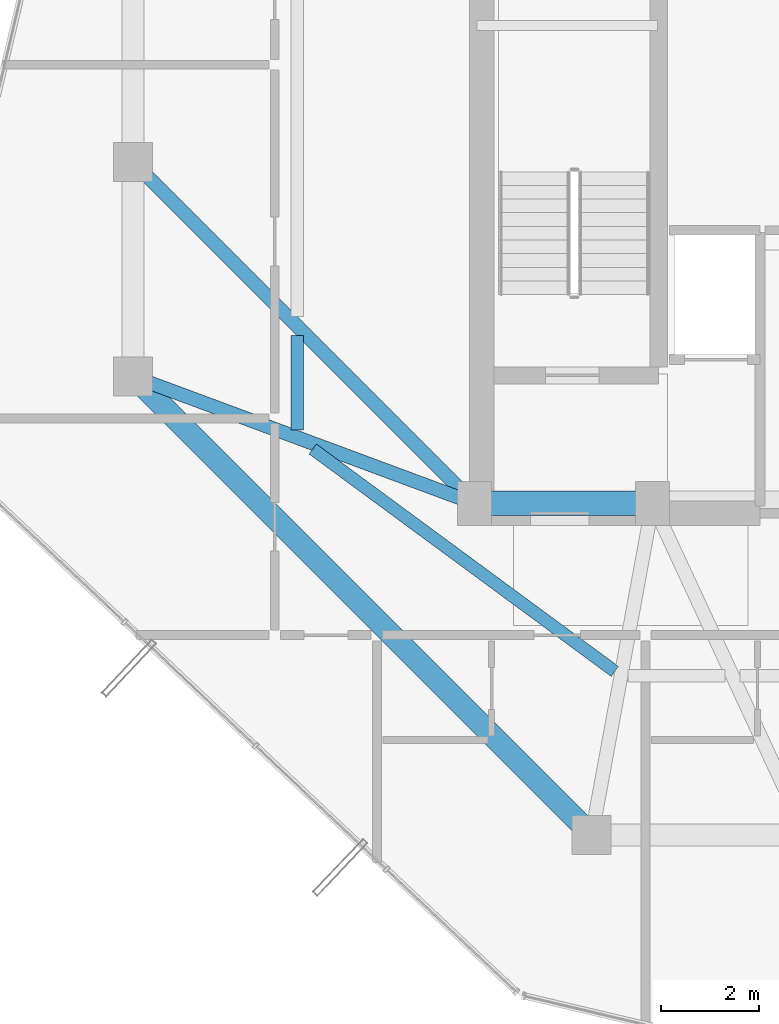
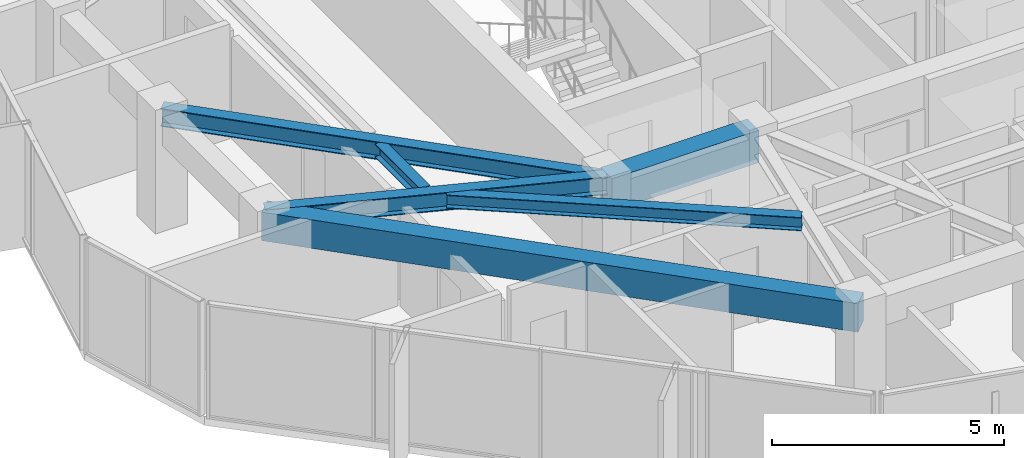
# One storey, part 6 of 28: 6 beams.
"""IFC4 building model written with IfcOpenShell, lengths in metres."""

import ifcopenshell
import ifcopenshell.guid

model = None  # the IFC model being written
_history = None  # IfcOwnerHistory: only IFC2X3 demands one
_inside = {}  # id of a spatial element -> (the spatial element, [elements in it])
_under = {}  # id of a project, library or spatial element -> (it, [spatial elements below it])
_declared = {}  # id of a project -> (the project, [libraries it declares])
_typed = {}  # id of a type object -> (the type object, [elements of that type])
_made_of = {}  # id of a material, layer set ... -> (it, [elements and type objects made of it])


def new_model(schema):
    """Start an empty IFC model of exactly this schema.

    Asked for "IFC4X3", IfcOpenShell would pick the latest addendum, in which some entities
    have other attributes; the version numbers below select the first issue.
    IFC2X3 requires an IfcOwnerHistory on every rooted entity: one is made here for all.
    """
    global model, _history
    if schema == "IFC4X3":
        model = ifcopenshell.file(schema_version=(4, 3, 0, 0))
    else:
        model = ifcopenshell.file(schema=schema)
    _inside.clear()
    _under.clear()
    _declared.clear()
    _typed.clear()
    _made_of.clear()
    _history = None
    if model.schema == "IFC2X3":
        org = make("IfcOrganization", Name="unknown")
        user = make(
            "IfcPersonAndOrganization",
            ThePerson=make("IfcPerson", FamilyName="unknown"),
            TheOrganization=org,
        )
        app = make(
            "IfcApplication",
            ApplicationDeveloper=org,
            Version="unknown",
            ApplicationFullName="unknown",
            ApplicationIdentifier="unknown",
        )
        _history = make(
            "IfcOwnerHistory",
            OwningUser=user,
            OwningApplication=app,
            ChangeAction="ADDED",
            CreationDate=0,
        )
    return model


def make(cls, **values):
    """One entity of the class cls with the attributes given. An attribute that is None is left unset."""
    return model.create_entity(
        cls, **{name: value for name, value in values.items() if value is not None}
    )


def rooted(cls, **values):
    """An entity with a GlobalId (a new one), such as an element, a storey or a relation."""
    return make(cls, GlobalId=ifcopenshell.guid.new(), OwnerHistory=_history, **values)


def si_unit(unit_type, name, prefix=None):
    """IfcSIUnit, for example si_unit("LENGTHUNIT", "METRE", prefix="MILLI")."""
    return make("IfcSIUnit", UnitType=unit_type, Prefix=prefix, Name=name)


def assignment(units):
    """IfcUnitAssignment: the units of a project."""
    return None if units is None else make("IfcUnitAssignment", Units=units)


def point(xyz):
    """IfcCartesianPoint."""
    return None if xyz is None else make("IfcCartesianPoint", Coordinates=xyz)


def direction(xyz):
    """IfcDirection."""
    return None if xyz is None else make("IfcDirection", DirectionRatios=xyz)


def frame(location, z_axis=None, x_axis=None):
    """IfcAxis2Placement3D, a coordinate frame: its origin and axes. An axis left out is left unset."""
    return make(
        "IfcAxis2Placement3D",
        Location=point(location),
        Axis=direction(z_axis),
        RefDirection=direction(x_axis),
    )


def frame_2d(location, x_axis=None):
    """IfcAxis2Placement2D, a coordinate frame in the plane: its origin and x axis."""
    return make(
        "IfcAxis2Placement2D", Location=point(location), RefDirection=direction(x_axis)
    )


def origin():
    """The frame at (0, 0, 0) with its axes left unset."""
    return frame((0.0, 0.0, 0.0))


def origin_2d():
    """The frame at (0, 0) in the plane with its x axis left unset."""
    return frame_2d((0.0, 0.0))


def place(relative_to, where):
    """IfcLocalPlacement: puts the frame where relative to a parent placement (None: the world)."""
    return make(
        "IfcLocalPlacement", PlacementRelTo=relative_to, RelativePlacement=where
    )


def context(
    kind, dimensions, precision=None, world=None, true_north=None, identifier=None
):
    """IfcGeometricRepresentationContext, for example the 3D "Model" context."""
    return make(
        "IfcGeometricRepresentationContext",
        ContextIdentifier=identifier,
        ContextType=kind,
        CoordinateSpaceDimension=dimensions,
        Precision=precision,
        WorldCoordinateSystem=world,
        TrueNorth=true_north,
    )


def subcontext(parent, identifier, kind, view, scale=None):
    """IfcGeometricRepresentationSubContext, for example "Body" below "Model"."""
    return make(
        "IfcGeometricRepresentationSubContext",
        ContextIdentifier=identifier,
        ContextType=kind,
        ParentContext=parent,
        TargetScale=scale,
        TargetView=view,
    )


def project(units=None, contexts=None):
    """IfcProject with its units and contexts."""
    return rooted(
        "IfcProject",
        Name="project",
        RepresentationContexts=contexts,
        UnitsInContext=assignment(units),
    )


def spatial(cls, under=None, at=None, **own):
    """A site, building, storey or space (cls), placed at a placement, below another one or the project."""
    s = rooted(cls, ObjectPlacement=at, **own)
    if under is not None:
        _under.setdefault(under.id(), (under, []))[1].append(s)
    return s


def profile(cls, at=None, kind="AREA", **sizes):
    """A parametric profile (cls). Its sizes go by their IFC names, for example OverallWidth=200.0."""
    return make(cls, ProfileType=kind, Position=at, **sizes)


def rectangle(**sizes):
    """IfcRectangleProfileDef."""
    return profile("IfcRectangleProfileDef", **sizes)


def i_section(**sizes):
    """IfcIShapeProfileDef."""
    return profile("IfcIShapeProfileDef", **sizes)


def extrude(swept, where, along, depth):
    """IfcExtrudedAreaSolid: the profile swept, set in the frame where, extruded along a direction by depth."""
    return make(
        "IfcExtrudedAreaSolid",
        SweptArea=swept,
        Position=where,
        ExtrudedDirection=direction(along),
        Depth=depth,
    )


def shape(context_of_items, identifier, shape_type, items):
    """IfcShapeRepresentation: the items that make up one representation, for example the "Body"."""
    return make(
        "IfcShapeRepresentation",
        ContextOfItems=context_of_items,
        RepresentationIdentifier=identifier,
        RepresentationType=shape_type,
        Items=items,
    )


def material(Name=None, Category=None):
    """IfcMaterial."""
    return make("IfcMaterial", Name=Name, Category=Category)


def material_profile(
    of_material, cross_section, Name=None, Category=None, Priority=None
):
    """IfcMaterialProfile: a cross section and its material."""
    return make(
        "IfcMaterialProfile",
        Name=Name,
        Material=of_material,
        Profile=cross_section,
        Priority=Priority,
        Category=Category,
    )


def profile_set(profiles, Name=None, composite=None):
    """IfcMaterialProfileSet."""
    return make(
        "IfcMaterialProfileSet",
        Name=Name,
        MaterialProfiles=profiles,
        CompositeProfile=composite,
    )


def made_of(thing, what):
    """Note that an element or type object is made of a material, layer set ...; save() writes the relation."""
    if what is not None:
        _made_of.setdefault(what.id(), (what, []))[1].append(thing)
    return thing


def type_object(cls, material=None, **own):
    """A type object (cls), such as IfcWallType, which elements share."""
    return made_of(rooted(cls, **own), material)


def element(
    cls,
    number,
    at=None,
    inside=None,
    cuts=None,
    type_object=None,
    material=None,
    context=None,
    identifier="Body",
    shape_type=None,
    held_by="IfcProductDefinitionShape",
    body=None,
    shapes=None,
    **own,
):
    """One element of the class cls, such as IfcWall. Its Tag is "e" and its number.

    at: its placement. inside: the storey or other place that contains it. cuts: it is an
    opening in that element (IfcRelVoidsElement). A single representation is given by context,
    identifier, shape_type and body (its items); several are given by shapes. held_by: the class
    of the entity that holds the representations. save() writes the other relations.
    """
    e = rooted(cls, Tag="e%d" % number, ObjectPlacement=at, **own)
    if body is not None:
        shapes = [shape(context, identifier, shape_type, body)]
    if shapes is not None:
        e.Representation = make(held_by, Representations=shapes)
    if inside is not None:
        _inside.setdefault(inside.id(), (inside, []))[1].append(e)
    if cuts is not None:
        rooted(
            "IfcRelVoidsElement", RelatingBuildingElement=cuts, RelatedOpeningElement=e
        )
    if type_object is not None:
        _typed.setdefault(type_object.id(), (type_object, []))[1].append(e)
    return made_of(e, material)


def aggregate(whole, parts):
    """IfcRelAggregates: a whole, such as a stair, and the parts it consists of."""
    return rooted("IfcRelAggregates", RelatingObject=whole, RelatedObjects=parts)


def save(model, path):
    """Write the relations noted so far, then the file.

    IfcRelAggregates (storeys below a building ...), IfcRelContainedInSpatialStructure (elements
    in a storey), IfcRelDefinesByType, IfcRelAssociatesMaterial and IfcRelDeclares: one each for
    every whole, place, type object, material and project.
    """
    for whole, parts in _under.values():
        aggregate(whole, parts)
    for where, things in _inside.values():
        rooted(
            "IfcRelContainedInSpatialStructure",
            RelatedElements=things,
            RelatingStructure=where,
        )
    for kind, things in _typed.values():
        rooted("IfcRelDefinesByType", RelatedObjects=things, RelatingType=kind)
    for what, things in _made_of.values():
        rooted("IfcRelAssociatesMaterial", RelatedObjects=things, RelatingMaterial=what)
    for by, libraries in _declared.values():
        rooted("IfcRelDeclares", RelatingContext=by, RelatedDefinitions=libraries)
    model.write(path)


model = new_model("IFC4")

# Units and contexts
model_context = context("Model", 3, precision=1e-05, world=origin(), true_north=direction((0.0, 1.0)))
body_context = subcontext(model_context, "Body", "Model", "MODEL_VIEW")
ifc_project = project(units=[si_unit("LENGTHUNIT", "METRE"), si_unit("AREAUNIT", "SQUARE_METRE"), si_unit("VOLUMEUNIT", "CUBIC_METRE"), si_unit("PLANEANGLEUNIT", "RADIAN"), si_unit("MASSUNIT", "GRAM", prefix="KILO")], contexts=[model_context])

# Site, building, storey
site_placement = place(None, origin())
site = spatial("IfcSite", under=ifc_project, at=site_placement, CompositionType="ELEMENT")
building_placement = place(site_placement, origin())
building = spatial("IfcBuilding", under=site, at=building_placement, Name="Veraguas Prism Commons", CompositionType="ELEMENT")
storey_placement = place(building_placement, frame((0.0, 0.0, 254.5)))
storey = spatial("IfcBuildingStorey", under=building, at=storey_placement, Name="L72", CompositionType="ELEMENT", Elevation=254.5)

# Beams
ifc_material_1 = material(Name="Concrete C50/60", Category="concrete")
ifc_material_profile_1 = material_profile(ifc_material_1, rectangle(XDim=0.5, YDim=0.85009765625, at=origin_2d()), Name="RC500X850")
ifc_profile_set_1 = profile_set([ifc_material_profile_1], Name="Concrete C50/60")
beam_type_1 = type_object("IfcBeamType", Name="Core Coupling Beam RC 500x850", PredefinedType="BEAM", material=ifc_profile_set_1)
beam_1_placement = place(storey_placement, frame((17.199951171875, 17.0, 2.590087890625), z_axis=(1.0, 0.0, 0.0), x_axis=(0.0, 1.0, 0.0)))
element("IfcBeam", 1, at=beam_1_placement, inside=storey, type_object=beam_type_1, Name="Core Coupling Beam L72-CRS1", PredefinedType="BEAM", context=body_context, shape_type="SweptSolid", body=[
    extrude(rectangle(XDim=0.5, YDim=0.85009765625, at=origin_2d()), origin(), (0.0, 0.0, 1.0), 3.650146484375),
])
ifc_material_profile_2 = material_profile(ifc_material_1, rectangle(XDim=0.449951171875, YDim=0.75, at=origin_2d()), Name="RC450X750")
ifc_profile_set_2 = profile_set([ifc_material_profile_2], Name="Concrete C50/60")
beam_type_2 = type_object("IfcBeamType", Name="Perimeter Spandrel Upper RC 450x750", PredefinedType="SPANDREL", material=ifc_profile_set_2)
beam_2_placement = place(storey_placement, frame((10.199951171875, 19.60009765625, 2.639892578125), z_axis=(0.707106781187, -0.707106781187, 0.0), x_axis=(0.707106781187, 0.707106781187, 0.0)))
element("IfcBeam", 2, at=beam_2_placement, inside=storey, type_object=beam_type_2, Name="Perimeter Spandrel Beam L72-SP09", PredefinedType="SPANDREL", context=body_context, shape_type="SweptSolid", body=[
    extrude(rectangle(XDim=0.449951171875, YDim=0.75, at=origin_2d()), origin(), (0.0, 0.0, 1.0), 13.293701171875),
])
ifc_material_2 = material(Name="Steel ASTM A992 Grade 50", Category="steel")
ifc_material_profile_3 = material_profile(ifc_material_2, i_section(OverallWidth=0.25390625, OverallDepth=0.35302734375, WebThickness=0.009521484375, FlangeThickness=0.016357421875, at=origin_2d()), Name="W360X91")
ifc_profile_set_3 = profile_set([ifc_material_profile_3], Name="Steel ASTM A992 Grade 50")
beam_type_3 = type_object("IfcBeamType", Name="Upper Floor Joist W360x91", PredefinedType="JOIST", material=ifc_profile_set_3)
beam_3_placement = place(storey_placement, frame((13.56005859375, 20.442626953125, 2.83837890625), z_axis=(0.0, -1.0, 0.0), x_axis=(1.0, 0.0, 0.0)))
element("IfcBeam", 3, at=beam_3_placement, inside=storey, type_object=beam_type_3, Name="Composite Floor Joist L72-JS08", PredefinedType="JOIST", context=body_context, shape_type="SweptSolid", body=[
    extrude(i_section(OverallWidth=0.25390625, OverallDepth=0.35302734375, WebThickness=0.009521484375, FlangeThickness=0.016357421875, at=origin_2d()), origin(), (0.0, 0.0, 1.0), 1.94189453125),
])
beam_4_placement = place(storey_placement, frame((13.881103515625, 18.11572265625, 2.83837890625), z_axis=(0.805319835229, -0.592840588174, 0.0), x_axis=(0.592840588174, 0.805319835229, 0.0)))
element("IfcBeam", 4, at=beam_4_placement, inside=storey, type_object=beam_type_3, Name="Composite Floor Joist L72-JS09", PredefinedType="JOIST", context=body_context, shape_type="SweptSolid", body=[
    extrude(i_section(OverallWidth=0.25390625, OverallDepth=0.35302734375, WebThickness=0.009521484375, FlangeThickness=0.016357421875, at=origin_2d()), origin(), (0.0, 0.0, 1.0), 7.69140625),
])
ifc_material_profile_4 = material_profile(ifc_material_2, i_section(OverallWidth=0.282958984375, OverallDepth=0.471923828125, WebThickness=0.013671875, FlangeThickness=0.022216796875, at=origin_2d()), Name="W460X144")
ifc_profile_set_4 = profile_set([ifc_material_profile_4], Name="Steel ASTM A992 Grade 50")
beam_type_4 = type_object("IfcBeamType", Name="Zone 4 Radial Girder W460x144", PredefinedType="BEAM", material=ifc_profile_set_4)
beam_5_placement = place(storey_placement, frame((10.199951171875, 24.0, 2.779052734375), z_axis=(0.707106781187, -0.707106781187, 0.0), x_axis=(0.707106781187, 0.707106781187, 0.0)))
element("IfcBeam", 5, at=beam_5_placement, inside=storey, type_object=beam_type_4, Name="Radial Floor Girder L72-RD08", PredefinedType="BEAM", context=body_context, shape_type="SweptSolid", body=[
    extrude(i_section(OverallWidth=0.282958984375, OverallDepth=0.471923828125, WebThickness=0.013671875, FlangeThickness=0.022216796875, at=origin_2d()), origin(), (0.0, 0.0, 1.0), 9.8994140625),
])
beam_6_placement = place(storey_placement, frame((10.199951171875, 19.60009765625, 2.779052734375), z_axis=(0.937421003341, -0.348198021958, 0.0), x_axis=(0.348198021958, 0.937421003341, 0.0)))
element("IfcBeam", 6, at=beam_6_placement, inside=storey, type_object=beam_type_4, Name="Radial Floor Girder L72-RD09", PredefinedType="BEAM", context=body_context, shape_type="SweptSolid", body=[
    extrude(i_section(OverallWidth=0.282958984375, OverallDepth=0.471923828125, WebThickness=0.013671875, FlangeThickness=0.022216796875, at=origin_2d()), origin(), (0.0, 0.0, 1.0), 7.46728515625),
])

save(model, "model.ifc")
